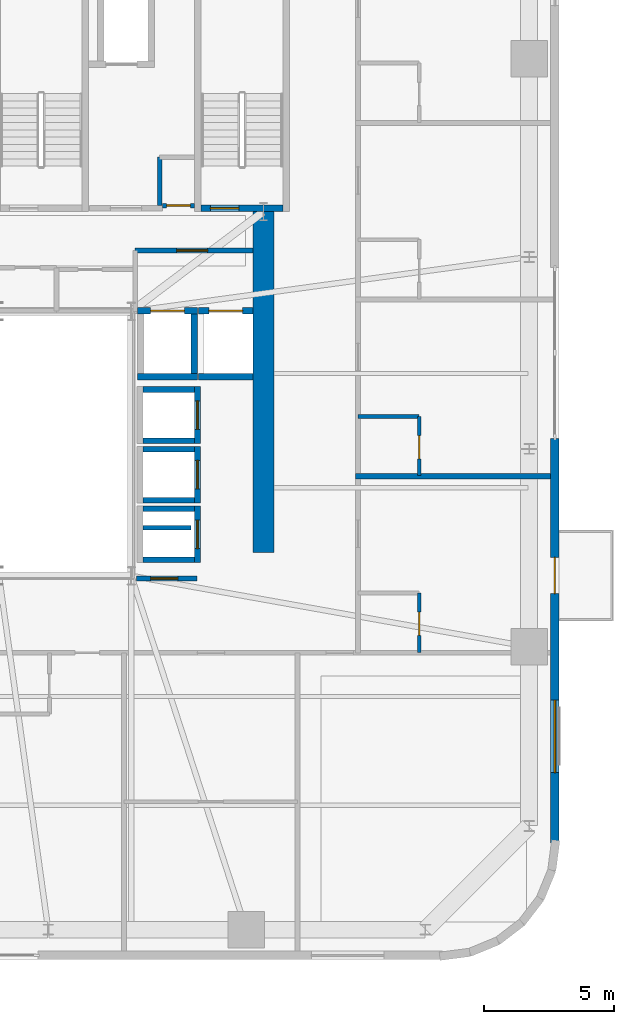
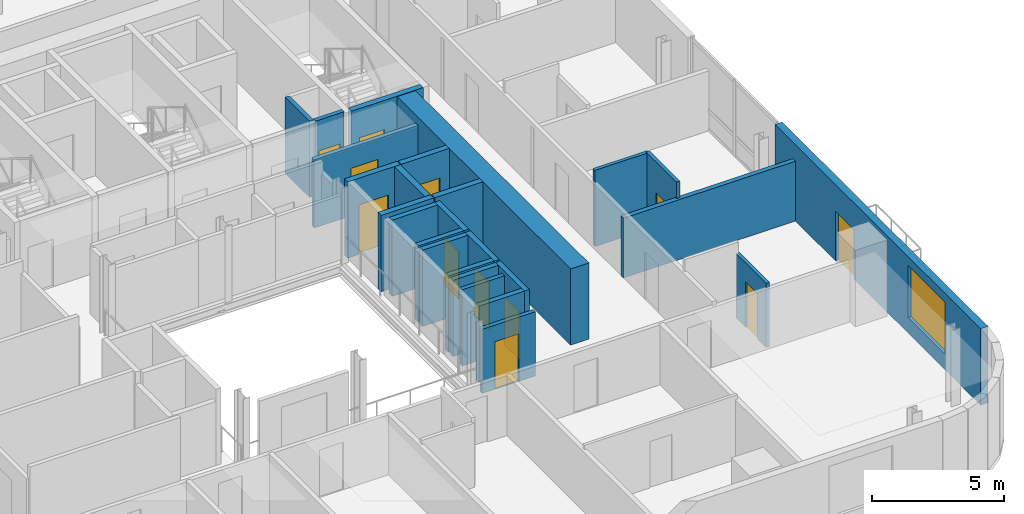
# One storey, part 9 of 13: 26 walls, 12 doors, 1 window, 13 openings.
"""IFC4 building model written with IfcOpenShell, lengths in metres."""

from ifc_helpers import new_model, si_unit, direction, frame, frame_2d, origin, place, context, subcontext, project, spatial, rectangle, extrude, source, transform, mapped, material, layer, layer_set, type_object, element, fill, save


model = new_model("IFC4")

# Units and contexts
model_context = context("Model", 3, precision=1e-05, world=origin(), true_north=direction((0.0, 1.0)))
body_context = subcontext(model_context, "Body", "Model", "MODEL_VIEW")
ifc_project = project(units=[si_unit("LENGTHUNIT", "METRE"), si_unit("AREAUNIT", "SQUARE_METRE"), si_unit("VOLUMEUNIT", "CUBIC_METRE"), si_unit("PLANEANGLEUNIT", "RADIAN"), si_unit("MASSUNIT", "GRAM", prefix="KILO")], contexts=[model_context])

# Site, building, storey
site_placement = place(None, origin())
site = spatial("IfcSite", under=ifc_project, at=site_placement, CompositionType="ELEMENT")
building_placement = place(site_placement, origin())
building = spatial("IfcBuilding", under=site, at=building_placement, Name="Vardaveli Station Tower", CompositionType="ELEMENT")
storey_placement = place(building_placement, frame((0.0, 0.0, 196.050048828125)))
storey = spatial("IfcBuildingStorey", under=building, at=storey_placement, Name="L50", CompositionType="ELEMENT", Elevation=196.050048828125)

# Wall
ifc_material_1 = material(Name="Concrete C50/60", Category="concrete")
ifc_layer_1 = layer(ifc_material_1, 0.800048828125, Name="Concrete C50/60")
ifc_layer_set_1 = layer_set([ifc_layer_1], Name="Concrete C50/60")
wall_type_1 = type_object("IfcWallType", Name="WAL-CORE-800", PredefinedType="SHEAR", material=ifc_layer_set_1)
shared_shape_1 = source(origin(), body_context, "Body", "SweptSolid", [
    extrude(rectangle(XDim=13.14990234375, YDim=0.800048828125, at=frame_2d((6.574951171875, 0.0))), origin(), (0.0, 0.0, 1.0), 3.530029296875),
])
wall_1_placement = place(storey_placement, frame((46.5, 17.5, 0.0), z_axis=(0.0, 0.0, 1.0), x_axis=(0.0, 1.0, 0.0)))
element("IfcWall", 1, at=wall_1_placement, inside=storey, type_object=wall_type_1, Name="SW-L50-EAST2", PredefinedType="SHEAR", context=body_context, shape_type="MappedRepresentation", body=[
    mapped(shared_shape_1, transform((0.0, 0.0, 0.0), scale=1.0)),
])

# Wall, openings, door, window
ifc_material_2 = material(Name="Precast concrete C45/55", Category="concrete")
ifc_layer_2 = layer(ifc_material_2, 0.320068359375, Name="Precast concrete C45/55")
ifc_layer_set_2 = layer_set([ifc_layer_2], Name="Precast concrete C45/55")
wall_type_2 = type_object("IfcWallType", Name="WAL-EXT-STONE-320", PredefinedType="SOLIDWALL", material=ifc_layer_set_2)
shared_shape_2 = source(origin(), body_context, "Body", "SweptSolid", [
    extrude(rectangle(XDim=15.599853515625, YDim=0.320068359375, at=frame_2d((7.7998046875, 0.0))), origin(), (0.0, 0.0, 1.0), 3.530029296875),
])
wall_2_placement = place(storey_placement, frame((57.739990234375, 6.300048828125, 0.0), z_axis=(0.0, 0.0, 1.0), x_axis=(0.0, 1.0, 0.0)))
wall_2 = element("IfcWall", 2, at=wall_2_placement, inside=storey, type_object=wall_type_2, Name="EW-L50-E1", PredefinedType="SOLIDWALL", context=body_context, shape_type="MappedRepresentation", body=[
    mapped(shared_shape_2, transform((0.0, 0.0, 0.0), scale=1.0)),
])
shared_shape_3 = source(origin(), body_context, "Body", "SweptSolid", [
    extrude(rectangle(XDim=1.39990234375, YDim=2.300048828125, at=frame_2d((0.699951171875, 1.14990234375))), frame((0.0, 0.169921875, 0.0), z_axis=(0.0, -1.0, 0.0), x_axis=(1.0, 0.0, 0.0)), (0.0, 0.0, 1.0), 0.340087890625),
])
opening_1_placement = place(wall_2_placement, frame((9.6103515625, 0.0, 0.0)))
opening_1 = element("IfcOpeningElement", 3, at=opening_1_placement, cuts=wall_2, Name="Opening D-09", PredefinedType="OPENING", context=body_context, shape_type="MappedRepresentation", body=[
    mapped(shared_shape_3, transform((0.0, 0.0, 0.0), scale=1.0)),
])
shared_shape_4 = source(origin(), body_context, "Body", "SweptSolid", [
    extrude(rectangle(XDim=2.800048828125, YDim=2.39990234375, at=frame_2d((1.39990234375, 1.199951171875))), frame((0.0, 0.169921875, 0.0), z_axis=(0.0, -1.0, 0.0), x_axis=(1.0, 0.0, 0.0)), (0.0, 0.0, 1.0), 0.340087890625),
])
opening_2_placement = place(wall_2_placement, frame((2.705078125, 0.0, 0.719970703125)))
opening_2 = element("IfcOpeningElement", 4, at=opening_2_placement, cuts=wall_2, Name="Opening W-04", PredefinedType="OPENING", context=body_context, shape_type="MappedRepresentation", body=[
    mapped(shared_shape_4, transform((0.0, 0.0, 0.0), scale=1.0)),
])
ifc_material_3 = material(Name="Thermally broken aluminium glass", Category="aluminium")
door_type_1 = type_object("IfcDoorType", Name="DR-LOG-1400x2300", OperationType="DOUBLE_DOOR_SLIDING", PredefinedType="DOOR", material=ifc_material_3)
shared_shape_5 = source(origin(), body_context, "Body", "SweptSolid", [
    extrude(rectangle(XDim=1.39990234375, YDim=2.300048828125, at=frame_2d((0.699951171875, 1.14990234375))), frame((0.0, 0.02490234375, 0.0), z_axis=(0.0, -1.0, 0.0), x_axis=(1.0, 0.0, 0.0)), (0.0, 0.0, 1.0), 0.050048828125),
])
door_1_placement = place(opening_1_placement, frame((1.39990234375, 0.0, 0.0), z_axis=(0.0, 0.0, 1.0), x_axis=(-1.0, 0.0, 0.0)))
door_1 = element("IfcDoor", 5, at=door_1_placement, inside=storey, type_object=door_type_1, Name="DLG-L50-E", OperationType="DOUBLE_DOOR_SLIDING", OverallHeight=2.300048828125, OverallWidth=1.39990234375, PredefinedType="DOOR", context=body_context, shape_type="MappedRepresentation", body=[
    mapped(shared_shape_5, transform((0.0, 0.0, 0.0), scale=1.0)),
])
fill(opening_1, door_1)
ifc_material_4 = material(Name="Low-E solar-control glass", Category="glass")
window_type = type_object("IfcWindowType", Name="WIN-SUITE-2800x2400", PartitioningType="SINGLE_PANEL", PredefinedType="WINDOW", material=ifc_material_4)
shared_shape_6 = source(origin(), body_context, "Body", "SweptSolid", [
    extrude(rectangle(XDim=2.800048828125, YDim=2.39990234375, at=frame_2d((1.39990234375, 1.199951171875))), frame((0.0, 0.030029296875, 0.0), z_axis=(0.0, -1.0, 0.0), x_axis=(1.0, 0.0, 0.0)), (0.0, 0.0, 1.0), 0.06005859375),
])
window_placement = place(opening_2_placement, origin())
window = element("IfcWindow", 6, at=window_placement, inside=storey, type_object=window_type, Name="WN-L50-E1", OverallHeight=2.39990234375, OverallWidth=2.800048828125, PartitioningType="SINGLE_PANEL", PredefinedType="WINDOW", context=body_context, shape_type="MappedRepresentation", body=[
    mapped(shared_shape_6, transform((0.0, 0.0, 0.0), scale=1.0)),
])
fill(opening_2, window)

# Wall, opening, door
ifc_material_5 = material(Name="Concrete C40/50", Category="concrete")
ifc_layer_3 = layer(ifc_material_5, 0.25, Name="Concrete C40/50")
ifc_layer_set_3 = layer_set([ifc_layer_3], Name="Concrete C40/50")
wall_type_3 = type_object("IfcWallType", Name="WAL-SHAFT-250", PredefinedType="SOLIDWALL", material=ifc_layer_set_3)
shared_shape_7 = source(origin(), body_context, "Body", "SweptSolid", [
    extrude(rectangle(XDim=3.14990234375, YDim=0.25, at=frame_2d((1.574951171875, 0.0))), origin(), (0.0, 0.0, 1.0), 3.550048828125),
])
wall_3_placement = place(storey_placement, frame((44.10009765625, 30.77490234375, 0.0), z_axis=(0.0, 0.0, 1.0), x_axis=(1.0, 0.0, 0.0)))
wall_3 = element("IfcWall", 7, at=wall_3_placement, inside=storey, type_object=wall_type_3, Name="W-L50-ST-3S", PredefinedType="SOLIDWALL", context=body_context, shape_type="MappedRepresentation", body=[
    mapped(shared_shape_7, transform((0.0, 0.0, 0.0), scale=1.0)),
])
shared_shape_8 = source(origin(), body_context, "Body", "SweptSolid", [
    extrude(rectangle(XDim=1.10009765625, YDim=2.199951171875, at=frame_2d((0.550048828125, 1.10009765625))), frame((0.0, 0.135009765625, 0.0), z_axis=(0.0, -1.0, 0.0), x_axis=(1.0, 0.0, 0.0)), (0.0, 0.0, 1.0), 0.27001953125),
])
opening_3_placement = place(wall_3_placement, frame((0.35009765625, 0.0, 0.0)))
opening_3 = element("IfcOpeningElement", 8, at=opening_3_placement, cuts=wall_3, Name="Opening D-04", PredefinedType="OPENING", context=body_context, shape_type="MappedRepresentation", body=[
    mapped(shared_shape_8, transform((0.0, 0.0, 0.0), scale=1.0)),
])
ifc_material_6 = material(Name="Steel smokeproof fire doorset", Category="steel")
door_type_2 = type_object("IfcDoorType", Name="DR-ST-1100x2200", OperationType="NOTDEFINED", PredefinedType="DOOR", material=ifc_material_6)
shared_shape_9 = source(origin(), body_context, "Body", "SweptSolid", [
    extrude(rectangle(XDim=1.10009765625, YDim=2.199951171875, at=frame_2d((0.550048828125, 1.10009765625))), frame((0.0, 0.02490234375, 0.0), z_axis=(0.0, -1.0, 0.0), x_axis=(1.0, 0.0, 0.0)), (0.0, 0.0, 1.0), 0.050048828125),
])
door_2_placement = place(opening_3_placement, origin())
door_2 = element("IfcDoor", 9, at=door_2_placement, inside=storey, type_object=door_type_2, Name="DST-3-L50", OperationType="SINGLE_SWING_LEFT", OverallHeight=2.199951171875, OverallWidth=1.10009765625, PredefinedType="DOOR", context=body_context, shape_type="MappedRepresentation", body=[
    mapped(shared_shape_9, transform((0.0, 0.0, 0.0), scale=1.0)),
])
fill(opening_3, door_2)

# Walls
ifc_layer_4 = layer(ifc_material_5, 0.219970703125, Name="Concrete C40/50")
ifc_layer_set_4 = layer_set([ifc_layer_4], Name="Concrete C40/50")
wall_type_4 = type_object("IfcWallType", Name="WAL-FFLOBBY-220", PredefinedType="SOLIDWALL", material=ifc_layer_set_4)
shared_shape_10 = source(origin(), body_context, "Body", "SweptSolid", [
    extrude(rectangle(XDim=2.0, YDim=0.219970703125, at=frame_2d((1.0, 0.0))), origin(), (0.0, 0.0, 1.0), 3.530029296875),
])
for number, where, z_axis, x_axis, name in (
    (10, (41.85009765625, 21.81494140625, 0.0), (0.0, 0.0, 1.0), (1.0, 0.0, 0.0), "SHW-HL3-01-L50-S"),
    (11, (41.85009765625, 23.784912109375, 0.0), (0.0, 0.0, 1.0), (1.0, 0.0, 0.0), "SHW-HL3-01-L50-N"),
    (12, (41.85009765625, 19.514892578125, 0.0), (0.0, 0.0, 1.0), (1.0, 0.0, 0.0), "SHW-HL3-02-L50-S"),
    (13, (41.85009765625, 21.485107421875, 0.0), (0.0, 0.0, 1.0), (1.0, 0.0, 0.0), "SHW-HL3-02-L50-N"),
    (14, (41.85009765625, 17.215087890625, 0.0), (0.0, 0.0, 1.0), (1.0, 0.0, 0.0), "SHW-HL3-03-L50-S"),
    (15, (41.85009765625, 19.18505859375, 0.0), (0.0, 0.0, 1.0), (1.0, 0.0, 0.0), "SHW-HL3-03-L50-N"),
):
    element("IfcWall", number, at=place(storey_placement, frame(where, z_axis=z_axis, x_axis=x_axis)), inside=storey, type_object=wall_type_4, Name=name, PredefinedType="SOLIDWALL", context=body_context, shape_type="MappedRepresentation", body=[
        mapped(shared_shape_10, transform((0.0, 0.0, 0.0), scale=1.0)),
    ])

# Wall, opening, door
shared_shape_11 = source(origin(), body_context, "Body", "SweptSolid", [
    extrude(rectangle(XDim=2.18994140625, YDim=0.219970703125, at=frame_2d((1.094970703125, 0.0))), origin(), (0.0, 0.0, 1.0), 3.530029296875),
])
wall_4_placement = place(storey_placement, frame((43.9599609375, 21.705078125, 0.0), z_axis=(0.0, 0.0, 1.0), x_axis=(0.0, 1.0, 0.0)))
wall_4 = element("IfcWall", 16, at=wall_4_placement, inside=storey, type_object=wall_type_4, Name="SHW-HL3-01-L50-E", PredefinedType="SOLIDWALL", context=body_context, shape_type="MappedRepresentation", body=[
    mapped(shared_shape_11, transform((0.0, 0.0, 0.0), scale=1.0)),
])
shared_shape_12 = source(origin(), body_context, "Body", "SweptSolid", [
    extrude(rectangle(XDim=1.10009765625, YDim=2.199951171875, at=frame_2d((0.550048828125, 1.10009765625))), frame((0.0, 0.1201171875, 0.0), z_axis=(0.0, -1.0, 0.0), x_axis=(1.0, 0.0, 0.0)), (0.0, 0.0, 1.0), 0.239990234375),
])
opening_4_placement = place(wall_4_placement, frame((0.544921875, 0.0, 0.0)))
opening_4 = element("IfcOpeningElement", 17, at=opening_4_placement, cuts=wall_4, Name="Opening LD-01", PredefinedType="OPENING", context=body_context, shape_type="MappedRepresentation", body=[
    mapped(shared_shape_12, transform((0.0, 0.0, 0.0), scale=1.0)),
])
ifc_material_7 = material(Name="Brushed stainless steel", Category="steel")
door_type_3 = type_object("IfcDoorType", Name="DR-LD-1100x2200", OperationType="DOUBLE_DOOR_SLIDING", PredefinedType="DOOR", material=ifc_material_7)
door_3_placement = place(opening_4_placement, origin())
door_3 = element("IfcDoor", 18, at=door_3_placement, inside=storey, type_object=door_type_3, Name="LD-HL3-01-L50", OperationType="DOUBLE_DOOR_SLIDING", OverallHeight=2.199951171875, OverallWidth=1.10009765625, PredefinedType="DOOR", context=body_context, shape_type="MappedRepresentation", body=[
    mapped(shared_shape_9, transform((0.0, 0.0, 0.0), scale=1.0)),
])
fill(opening_4, door_3)

wall_5_placement = place(storey_placement, frame((43.9599609375, 19.405029296875, 0.0), z_axis=(0.0, 0.0, 1.0), x_axis=(0.0, 1.0, 0.0)))
wall_5 = element("IfcWall", 19, at=wall_5_placement, inside=storey, type_object=wall_type_4, Name="SHW-HL3-02-L50-E", PredefinedType="SOLIDWALL", context=body_context, shape_type="MappedRepresentation", body=[
    mapped(shared_shape_11, transform((0.0, 0.0, 0.0), scale=1.0)),
])
opening_5_placement = place(wall_5_placement, frame((0.544921875, 0.0, 0.0)))
opening_5 = element("IfcOpeningElement", 20, at=opening_5_placement, cuts=wall_5, Name="Opening LD-01", PredefinedType="OPENING", context=body_context, shape_type="MappedRepresentation", body=[
    mapped(shared_shape_12, transform((0.0, 0.0, 0.0), scale=1.0)),
])
door_4_placement = place(opening_5_placement, origin())
door_4 = element("IfcDoor", 21, at=door_4_placement, inside=storey, type_object=door_type_3, Name="LD-HL3-02-L50", OperationType="DOUBLE_DOOR_SLIDING", OverallHeight=2.199951171875, OverallWidth=1.10009765625, PredefinedType="DOOR", context=body_context, shape_type="MappedRepresentation", body=[
    mapped(shared_shape_9, transform((0.0, 0.0, 0.0), scale=1.0)),
])
fill(opening_5, door_4)

wall_6_placement = place(storey_placement, frame((43.9599609375, 17.10498046875, 0.0), z_axis=(0.0, 0.0, 1.0), x_axis=(0.0, 1.0, 0.0)))
wall_6 = element("IfcWall", 22, at=wall_6_placement, inside=storey, type_object=wall_type_4, Name="SHW-HL3-03-L50-E", PredefinedType="SOLIDWALL", context=body_context, shape_type="MappedRepresentation", body=[
    mapped(shared_shape_11, transform((0.0, 0.0, 0.0), scale=1.0)),
])
opening_6_placement = place(wall_6_placement, frame((0.544921875, 0.0, 0.0)))
opening_6 = element("IfcOpeningElement", 23, at=opening_6_placement, cuts=wall_6, Name="Opening LD-01", PredefinedType="OPENING", context=body_context, shape_type="MappedRepresentation", body=[
    mapped(shared_shape_12, transform((0.0, 0.0, 0.0), scale=1.0)),
])
door_5_placement = place(opening_6_placement, origin())
door_5 = element("IfcDoor", 24, at=door_5_placement, inside=storey, type_object=door_type_3, Name="LD-HL3-03-L50", OperationType="DOUBLE_DOOR_SLIDING", OverallHeight=2.199951171875, OverallWidth=1.10009765625, PredefinedType="DOOR", context=body_context, shape_type="MappedRepresentation", body=[
    mapped(shared_shape_9, transform((0.0, 0.0, 0.0), scale=1.0)),
])
fill(opening_6, door_5)

# Wall
shared_shape_13 = source(origin(), body_context, "Body", "SweptSolid", [
    extrude(rectangle(XDim=2.300048828125, YDim=0.25, at=frame_2d((1.14990234375, 0.0))), origin(), (0.0, 0.0, 1.0), 3.530029296875),
])
wall_7_placement = place(storey_placement, frame((41.64990234375, 24.27490234375, 0.0), z_axis=(0.0, 0.0, 1.0), x_axis=(1.0, 0.0, 0.0)))
element("IfcWall", 25, at=wall_7_placement, inside=storey, type_object=wall_type_3, Name="SHW-SRV-01-L50-S", PredefinedType="SOLIDWALL", context=body_context, shape_type="MappedRepresentation", body=[
    mapped(shared_shape_13, transform((0.0, 0.0, 0.0), scale=1.0)),
])

# Wall, opening, door
wall_8_placement = place(storey_placement, frame((41.64990234375, 26.824951171875, 0.0), z_axis=(0.0, 0.0, 1.0), x_axis=(1.0, 0.0, 0.0)))
wall_8 = element("IfcWall", 26, at=wall_8_placement, inside=storey, type_object=wall_type_3, Name="SHW-SRV-01-L50-N", PredefinedType="SOLIDWALL", context=body_context, shape_type="MappedRepresentation", body=[
    mapped(shared_shape_13, transform((0.0, 0.0, 0.0), scale=1.0)),
])
shared_shape_14 = source(origin(), body_context, "Body", "SweptSolid", [
    extrude(rectangle(XDim=1.300048828125, YDim=2.300048828125, at=frame_2d((0.64990234375, 1.14990234375))), frame((0.0, 0.135009765625, 0.0), z_axis=(0.0, -1.0, 0.0), x_axis=(1.0, 0.0, 0.0)), (0.0, 0.0, 1.0), 0.27001953125),
])
opening_7_placement = place(wall_8_placement, frame((0.5, 0.0, 0.0)))
opening_7 = element("IfcOpeningElement", 27, at=opening_7_placement, cuts=wall_8, Name="Opening LD-03", PredefinedType="OPENING", context=body_context, shape_type="MappedRepresentation", body=[
    mapped(shared_shape_14, transform((0.0, 0.0, 0.0), scale=1.0)),
])
door_type_4 = type_object("IfcDoorType", Name="DR-LD-1300x2300", OperationType="DOUBLE_DOOR_SLIDING", PredefinedType="DOOR", material=ifc_material_7)
shared_shape_15 = source(origin(), body_context, "Body", "SweptSolid", [
    extrude(rectangle(XDim=1.300048828125, YDim=2.300048828125, at=frame_2d((0.64990234375, 1.14990234375))), frame((0.0, 0.02490234375, 0.0), z_axis=(0.0, -1.0, 0.0), x_axis=(1.0, 0.0, 0.0)), (0.0, 0.0, 1.0), 0.050048828125),
])
door_6_placement = place(opening_7_placement, origin())
door_6 = element("IfcDoor", 28, at=door_6_placement, inside=storey, type_object=door_type_4, Name="LD-SRV-01-L50", OperationType="DOUBLE_DOOR_SLIDING", OverallHeight=2.300048828125, OverallWidth=1.300048828125, PredefinedType="DOOR", context=body_context, shape_type="MappedRepresentation", body=[
    mapped(shared_shape_15, transform((0.0, 0.0, 0.0), scale=1.0)),
])
fill(opening_7, door_6)

# Walls
wall_9_placement = place(storey_placement, frame((43.824951171875, 24.39990234375, 0.0), z_axis=(0.0, 0.0, 1.0), x_axis=(0.0, 1.0, 0.0)))
element("IfcWall", 29, at=wall_9_placement, inside=storey, type_object=wall_type_3, Name="SHW-SRV-01-L50-E", PredefinedType="SOLIDWALL", context=body_context, shape_type="MappedRepresentation", body=[
    mapped(shared_shape_13, transform((0.0, 0.0, 0.0), scale=1.0)),
])
shared_shape_16 = source(origin(), body_context, "Body", "SweptSolid", [
    extrude(rectangle(XDim=2.10009765625, YDim=0.25, at=frame_2d((1.050048828125, 0.0))), origin(), (0.0, 0.0, 1.0), 3.530029296875),
])
wall_10_placement = place(storey_placement, frame((44.0, 24.27490234375, 0.0), z_axis=(0.0, 0.0, 1.0), x_axis=(1.0, 0.0, 0.0)))
element("IfcWall", 30, at=wall_10_placement, inside=storey, type_object=wall_type_3, Name="SHW-SRV-02-L50-S", PredefinedType="SOLIDWALL", context=body_context, shape_type="MappedRepresentation", body=[
    mapped(shared_shape_16, transform((0.0, 0.0, 0.0), scale=1.0)),
])

# Wall, opening, door
wall_11_placement = place(storey_placement, frame((44.0, 26.824951171875, 0.0), z_axis=(0.0, 0.0, 1.0), x_axis=(1.0, 0.0, 0.0)))
wall_11 = element("IfcWall", 31, at=wall_11_placement, inside=storey, type_object=wall_type_3, Name="SHW-SRV-02-L50-N", PredefinedType="SOLIDWALL", context=body_context, shape_type="MappedRepresentation", body=[
    mapped(shared_shape_16, transform((0.0, 0.0, 0.0), scale=1.0)),
])
opening_8_placement = place(wall_11_placement, frame((0.39990234375, 0.0, 0.0)))
opening_8 = element("IfcOpeningElement", 32, at=opening_8_placement, cuts=wall_11, Name="Opening LD-03", PredefinedType="OPENING", context=body_context, shape_type="MappedRepresentation", body=[
    mapped(shared_shape_14, transform((0.0, 0.0, 0.0), scale=1.0)),
])
door_7_placement = place(opening_8_placement, origin())
door_7 = element("IfcDoor", 33, at=door_7_placement, inside=storey, type_object=door_type_4, Name="LD-SRV-02-L50", OperationType="DOUBLE_DOOR_SLIDING", OverallHeight=2.300048828125, OverallWidth=1.300048828125, PredefinedType="DOOR", context=body_context, shape_type="MappedRepresentation", body=[
    mapped(shared_shape_15, transform((0.0, 0.0, 0.0), scale=1.0)),
])
fill(opening_8, door_7)

ifc_material_8 = material(Name="Fire-rated gypsum stud partition")
ifc_layer_5 = layer(ifc_material_8, 0.179931640625, Name="Fire-rated gypsum stud partition")
ifc_layer_set_5 = layer_set([ifc_layer_5], Name="Fire-rated gypsum stud partition")
wall_type_5 = type_object("IfcWallType", Name="WAL-CORR-180", PredefinedType="PARTITIONING", material=ifc_layer_set_5)
shared_shape_17 = source(origin(), body_context, "Body", "SweptSolid", [
    extrude(rectangle(XDim=4.5478515625, YDim=0.179931640625, at=frame_2d((2.27392578125, 0.0))), origin(), (0.0, 0.0, 1.0), 3.161865234375),
])
wall_12_placement = place(storey_placement, frame((41.550048828125, 29.14990234375, 0.0), z_axis=(0.0, 0.0, 1.0), x_axis=(1.0, 0.0, 0.0)))
wall_12 = element("IfcWall", 34, at=wall_12_placement, inside=storey, type_object=wall_type_5, Name="W-L50-SVFN", PredefinedType="PARTITIONING", context=body_context, shape_type="MappedRepresentation", body=[
    mapped(shared_shape_17, transform((0.0, 0.0, 0.0), scale=1.0)),
])
shared_shape_18 = source(origin(), body_context, "Body", "SweptSolid", [
    extrude(rectangle(XDim=1.199951171875, YDim=2.199951171875, at=frame_2d((0.60009765625, 1.10009765625))), frame((0.0, 0.10009765625, 0.0), z_axis=(0.0, -1.0, 0.0), x_axis=(1.0, 0.0, 0.0)), (0.0, 0.0, 1.0), 0.199951171875),
])
opening_9_placement = place(wall_12_placement, frame((1.60009765625, 0.0, 0.0)))
opening_9 = element("IfcOpeningElement", 35, at=opening_9_placement, cuts=wall_12, Name="Opening D-03", PredefinedType="OPENING", context=body_context, shape_type="MappedRepresentation", body=[
    mapped(shared_shape_18, transform((0.0, 0.0, 0.0), scale=1.0)),
])
door_type_5 = type_object("IfcDoorType", Name="DR-FFL-1200x2200", OperationType="NOTDEFINED", PredefinedType="DOOR", material=ifc_material_6)
shared_shape_19 = source(origin(), body_context, "Body", "SweptSolid", [
    extrude(rectangle(XDim=1.199951171875, YDim=2.199951171875, at=frame_2d((0.60009765625, 1.10009765625))), frame((0.0, 0.02490234375, 0.0), z_axis=(0.0, -1.0, 0.0), x_axis=(1.0, 0.0, 0.0)), (0.0, 0.0, 1.0), 0.050048828125),
])
door_8_placement = place(opening_9_placement, origin())
door_8 = element("IfcDoor", 36, at=door_8_placement, inside=storey, type_object=door_type_5, Name="D-L50-SVF", OperationType="SINGLE_SWING_RIGHT", OverallHeight=2.199951171875, OverallWidth=1.199951171875, PredefinedType="DOOR", context=body_context, shape_type="MappedRepresentation", body=[
    mapped(shared_shape_19, transform((0.0, 0.0, 0.0), scale=1.0)),
])
fill(opening_9, door_8)

shared_shape_20 = source(origin(), body_context, "Body", "SweptSolid", [
    extrude(rectangle(XDim=2.329833984375, YDim=0.179931640625, at=frame_2d((1.1650390625, 0.0))), origin(), (0.0, 0.0, 1.0), 2.971923828125),
])
wall_13_placement = place(storey_placement, frame((41.60009765625, 16.5, 0.0), z_axis=(0.0, 0.0, 1.0), x_axis=(1.0, 0.0, 0.0)))
wall_13 = element("IfcWall", 37, at=wall_13_placement, inside=storey, type_object=wall_type_5, Name="W-L50-ATE-S", PredefinedType="PARTITIONING", context=body_context, shape_type="MappedRepresentation", body=[
    mapped(shared_shape_20, transform((0.0, 0.0, 0.0), scale=1.0)),
])
shared_shape_21 = source(origin(), body_context, "Body", "SweptSolid", [
    extrude(rectangle(XDim=1.050048828125, YDim=2.199951171875, at=frame_2d((0.52490234375, 1.10009765625))), frame((0.0, 0.10009765625, 0.0), z_axis=(0.0, -1.0, 0.0), x_axis=(1.0, 0.0, 0.0)), (0.0, 0.0, 1.0), 0.199951171875),
])
opening_10_placement = place(wall_13_placement, frame((0.550048828125, 0.0, 0.0)))
opening_10 = element("IfcOpeningElement", 38, at=opening_10_placement, cuts=wall_13, Name="Opening D-05", PredefinedType="OPENING", context=body_context, shape_type="MappedRepresentation", body=[
    mapped(shared_shape_21, transform((0.0, 0.0, 0.0), scale=1.0)),
])
ifc_material_9 = material(Name="Walnut veneer acoustic fire door")
door_type_6 = type_object("IfcDoorType", Name="DR-SUITE-1050x2200", OperationType="NOTDEFINED", PredefinedType="DOOR", material=ifc_material_9)
shared_shape_22 = source(origin(), body_context, "Body", "SweptSolid", [
    extrude(rectangle(XDim=1.050048828125, YDim=2.199951171875, at=frame_2d((0.52490234375, 1.10009765625))), frame((0.0, 0.02490234375, 0.0), z_axis=(0.0, -1.0, 0.0), x_axis=(1.0, 0.0, 0.0)), (0.0, 0.0, 1.0), 0.050048828125),
])
door_9_placement = place(opening_10_placement, origin())
door_9 = element("IfcDoor", 39, at=door_9_placement, inside=storey, type_object=door_type_6, Name="D-L50-ATE1", OperationType="SINGLE_SWING_RIGHT", OverallHeight=2.199951171875, OverallWidth=1.050048828125, PredefinedType="DOOR", context=body_context, shape_type="MappedRepresentation", body=[
    mapped(shared_shape_22, transform((0.0, 0.0, 0.0), scale=1.0)),
])
fill(opening_10, door_9)

ifc_material_10 = material(Name="Moisture-resistant stud partition")
ifc_layer_6 = layer(ifc_material_10, 0.14990234375, Name="Moisture-resistant stud partition")
ifc_layer_set_6 = layer_set([ifc_layer_6], Name="Moisture-resistant stud partition")
wall_type_6 = type_object("IfcWallType", Name="WAL-WET-150", PredefinedType="PARTITIONING", material=ifc_layer_set_6)
shared_shape_23 = source(origin(), body_context, "Body", "SweptSolid", [
    extrude(rectangle(XDim=2.2900390625, YDim=0.14990234375, at=frame_2d((1.14501953125, 0.0))), origin(), (0.0, 0.0, 1.0), 2.971923828125),
])
wall_14_placement = place(storey_placement, frame((52.510009765625, 13.64990234375, 0.0), z_axis=(0.0, 0.0, 1.0), x_axis=(0.0, 1.0, 0.0)))
wall_14 = element("IfcWall", 40, at=wall_14_placement, inside=storey, type_object=wall_type_6, Name="W-L50-BE1-E", PredefinedType="PARTITIONING", context=body_context, shape_type="MappedRepresentation", body=[
    mapped(shared_shape_23, transform((0.0, 0.0, 0.0), scale=1.0)),
])
shared_shape_24 = source(origin(), body_context, "Body", "SweptSolid", [
    extrude(rectangle(XDim=0.89990234375, YDim=2.10009765625, at=frame_2d((0.449951171875, 1.050048828125))), frame((0.0, 0.0849609375, 0.0), z_axis=(0.0, -1.0, 0.0), x_axis=(1.0, 0.0, 0.0)), (0.0, 0.0, 1.0), 0.169921875),
])
opening_11_placement = place(wall_14_placement, frame((0.64990234375, 0.0, 0.0)))
opening_11 = element("IfcOpeningElement", 41, at=opening_11_placement, cuts=wall_14, Name="Opening D-08", PredefinedType="OPENING", context=body_context, shape_type="MappedRepresentation", body=[
    mapped(shared_shape_24, transform((0.0, 0.0, 0.0), scale=1.0)),
])
ifc_material_11 = material(Name="Moisture-resistant oak door")
door_type_7 = type_object("IfcDoorType", Name="DR-BATH-900x2100", OperationType="NOTDEFINED", PredefinedType="DOOR", material=ifc_material_11)
shared_shape_25 = source(origin(), body_context, "Body", "SweptSolid", [
    extrude(rectangle(XDim=0.89990234375, YDim=2.10009765625, at=frame_2d((0.449951171875, 1.050048828125))), frame((0.0, 0.02490234375, 0.0), z_axis=(0.0, -1.0, 0.0), x_axis=(1.0, 0.0, 0.0)), (0.0, 0.0, 1.0), 0.050048828125),
])
door_10_placement = place(opening_11_placement, origin())
door_10 = element("IfcDoor", 42, at=door_10_placement, inside=storey, type_object=door_type_7, Name="D-L50-BE1", OperationType="SINGLE_SWING_LEFT", OverallHeight=2.10009765625, OverallWidth=0.89990234375, PredefinedType="DOOR", context=body_context, shape_type="MappedRepresentation", body=[
    mapped(shared_shape_25, transform((0.0, 0.0, 0.0), scale=1.0)),
])
fill(opening_11, door_10)

shared_shape_26 = source(origin(), body_context, "Body", "SweptSolid", [
    extrude(rectangle(XDim=1.247802734375, YDim=0.179931640625, at=frame_2d((0.6240234375, 0.0))), origin(), (0.0, 0.0, 1.0), 3.530029296875),
])
wall_15_placement = place(storey_placement, frame((42.60009765625, 30.8798828125, 0.0), z_axis=(0.0, 0.0, 1.0), x_axis=(1.0, 0.0, 0.0)))
wall_15 = element("IfcWall", 43, at=wall_15_placement, inside=storey, type_object=wall_type_5, Name="W-L50-CBS2A-S", PredefinedType="PARTITIONING", context=body_context, shape_type="MappedRepresentation", body=[
    mapped(shared_shape_26, transform((0.0, 0.0, 0.0), scale=1.0)),
])
shared_shape_27 = source(origin(), body_context, "Body", "SweptSolid", [
    extrude(rectangle(XDim=0.919921875, YDim=2.10009765625, at=frame_2d((0.4599609375, 1.050048828125))), frame((0.0, 0.10009765625, 0.0), z_axis=(0.0, -1.0, 0.0), x_axis=(1.0, 0.0, 0.0)), (0.0, 0.0, 1.0), 0.199951171875),
])
opening_12_placement = place(wall_15_placement, frame((0.1640625, 0.0, 0.0)))
opening_12 = element("IfcOpeningElement", 44, at=opening_12_placement, cuts=wall_15, Name="Opening D-07", PredefinedType="OPENING", context=body_context, shape_type="MappedRepresentation", body=[
    mapped(shared_shape_27, transform((0.0, 0.0, 0.0), scale=1.0)),
])
ifc_material_12 = material(Name="Moisture-resistant hardwood door", Category="wood")
door_type_8 = type_object("IfcDoorType", Name="DR-WC-920x2100", OperationType="NOTDEFINED", PredefinedType="DOOR", material=ifc_material_12)
shared_shape_28 = source(origin(), body_context, "Body", "SweptSolid", [
    extrude(rectangle(XDim=0.919921875, YDim=2.10009765625, at=frame_2d((0.4599609375, 1.050048828125))), frame((0.0, 0.02490234375, 0.0), z_axis=(0.0, -1.0, 0.0), x_axis=(1.0, 0.0, 0.0)), (0.0, 0.0, 1.0), 0.050048828125),
])
door_11_placement = place(opening_12_placement, origin())
door_11 = element("IfcDoor", 45, at=door_11_placement, inside=storey, type_object=door_type_8, Name="D-L50-CBS1", OperationType="SINGLE_SWING_LEFT", OverallHeight=2.10009765625, OverallWidth=0.919921875, PredefinedType="DOOR", context=body_context, shape_type="MappedRepresentation", body=[
    mapped(shared_shape_28, transform((0.0, 0.0, 0.0), scale=1.0)),
])
fill(opening_12, door_11)

# Walls
ifc_material_13 = material(Name="Acoustic twin-stud gypsum partition")
ifc_layer_7 = layer(ifc_material_13, 0.199951171875, Name="Acoustic twin-stud gypsum partition")
ifc_layer_set_7 = layer_set([ifc_layer_7], Name="Acoustic twin-stud gypsum partition")
wall_type_7 = type_object("IfcWallType", Name="WAL-PARTY-200", PredefinedType="PARTITIONING", material=ifc_layer_set_7)
shared_shape_29 = source(origin(), body_context, "Body", "SweptSolid", [
    extrude(rectangle(XDim=7.52783203125, YDim=0.199951171875, at=frame_2d((3.763916015625, 0.0))), origin(), (0.0, 0.0, 1.0), 2.77197265625),
])
wall_16_placement = place(storey_placement, frame((50.050048828125, 20.44189453125, 0.0), z_axis=(0.0, 0.0, 1.0), x_axis=(1.0, 0.0, 0.0)))
element("IfcWall", 46, at=wall_16_placement, inside=storey, type_object=wall_type_7, Name="W-L50-PE1", PredefinedType="PARTITIONING", context=body_context, shape_type="MappedRepresentation", body=[
    mapped(shared_shape_29, transform((0.0, 0.0, 0.0), scale=1.0)),
])
shared_shape_30 = source(origin(), body_context, "Body", "SweptSolid", [
    extrude(rectangle(XDim=2.360107421875, YDim=0.14990234375, at=frame_2d((1.18017578125, 0.0))), origin(), (0.0, 0.0, 1.0), 3.530029296875),
])
wall_17_placement = place(storey_placement, frame((50.14990234375, 22.751953125, 0.0), z_axis=(0.0, 0.0, 1.0), x_axis=(1.0, 0.0, 0.0)))
element("IfcWall", 47, at=wall_17_placement, inside=storey, type_object=wall_type_6, Name="W-L50-BE2-N", PredefinedType="PARTITIONING", context=body_context, shape_type="MappedRepresentation", body=[
    mapped(shared_shape_30, transform((0.0, 0.0, 0.0), scale=1.0)),
])
shared_shape_31 = source(origin(), body_context, "Body", "SweptSolid", [
    extrude(rectangle(XDim=1.85791015625, YDim=0.179931640625, at=frame_2d((0.928955078125, 0.0))), origin(), (0.0, 0.0, 1.0), 3.530029296875),
])
for number, where, z_axis, x_axis, name in (
    (48, (41.85205078125, 18.449951171875, 0.0), (0.0, 0.0, 1.0), (1.0, 0.0, 0.0), "W-L50-ATE-N"),
    (49, (42.5, 30.89208984375, 0.0), (0.0, 0.0, 1.0), (0.0, 1.0, 0.0), "W-L50-CBS2A-W"),
):
    element("IfcWall", number, at=place(storey_placement, frame(where, z_axis=z_axis, x_axis=x_axis)), inside=storey, type_object=wall_type_5, Name=name, PredefinedType="PARTITIONING", context=body_context, shape_type="MappedRepresentation", body=[
        mapped(shared_shape_31, transform((0.0, 0.0, 0.0), scale=1.0)),
    ])

# Wall, opening, door
shared_shape_32 = source(origin(), body_context, "Body", "SweptSolid", [
    extrude(rectangle(XDim=2.2900390625, YDim=0.14990234375, at=frame_2d((1.14501953125, 0.0))), origin(), (0.0, 0.0, 1.0), 3.530029296875),
])
wall_18_placement = place(storey_placement, frame((52.510009765625, 20.4619140625, 0.0), z_axis=(0.0, 0.0, 1.0), x_axis=(0.0, 1.0, 0.0)))
wall_18 = element("IfcWall", 50, at=wall_18_placement, inside=storey, type_object=wall_type_6, Name="W-L50-BE2-E", PredefinedType="PARTITIONING", context=body_context, shape_type="MappedRepresentation", body=[
    mapped(shared_shape_32, transform((0.0, 0.0, 0.0), scale=1.0)),
])
opening_13_placement = place(wall_18_placement, frame((0.64990234375, 0.0, 0.0)))
opening_13 = element("IfcOpeningElement", 51, at=opening_13_placement, cuts=wall_18, Name="Opening D-08", PredefinedType="OPENING", context=body_context, shape_type="MappedRepresentation", body=[
    mapped(shared_shape_24, transform((0.0, 0.0, 0.0), scale=1.0)),
])
door_12_placement = place(opening_13_placement, origin())
door_12 = element("IfcDoor", 52, at=door_12_placement, inside=storey, type_object=door_type_7, Name="D-L50-BE2", OperationType="SINGLE_SWING_RIGHT", OverallHeight=2.10009765625, OverallWidth=0.89990234375, PredefinedType="DOOR", context=body_context, shape_type="MappedRepresentation", body=[
    mapped(shared_shape_25, transform((0.0, 0.0, 0.0), scale=1.0)),
])
fill(opening_13, door_12)

save(model, "model.ifc")
